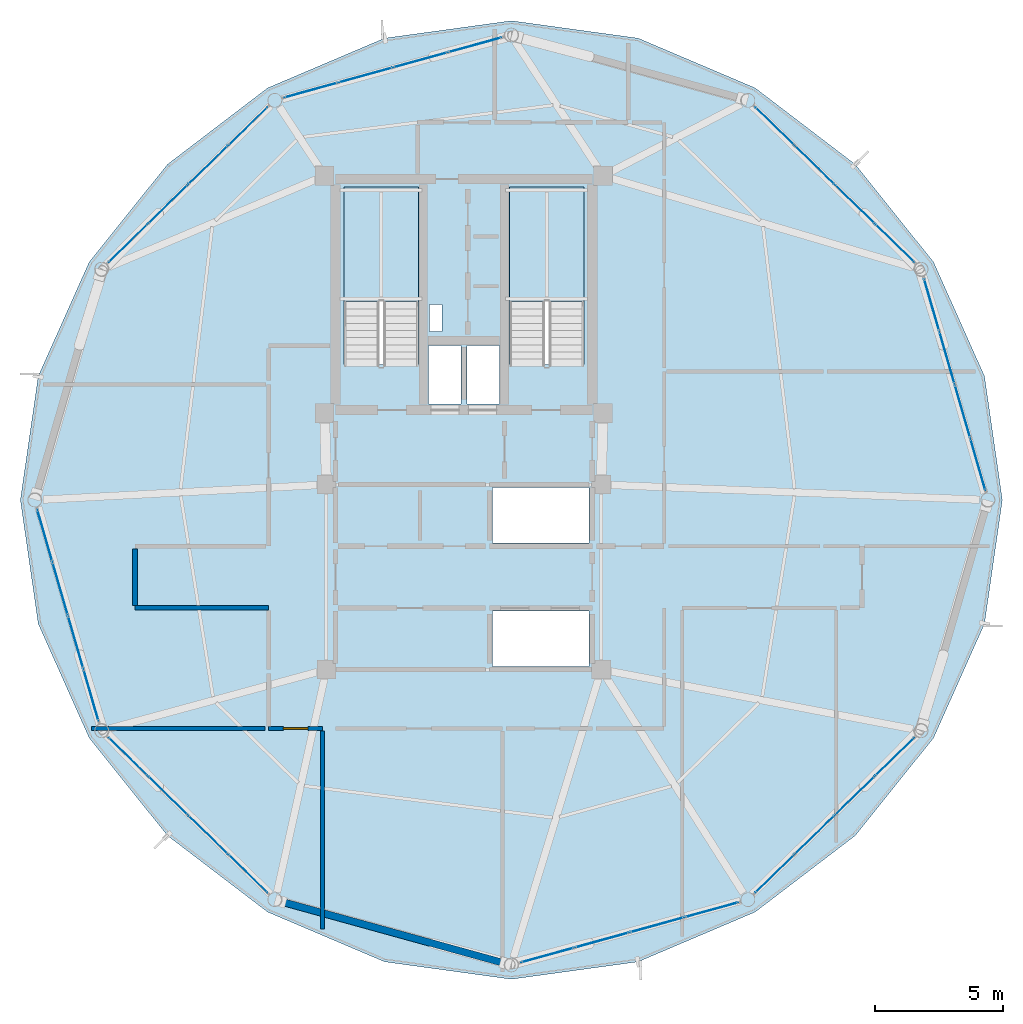
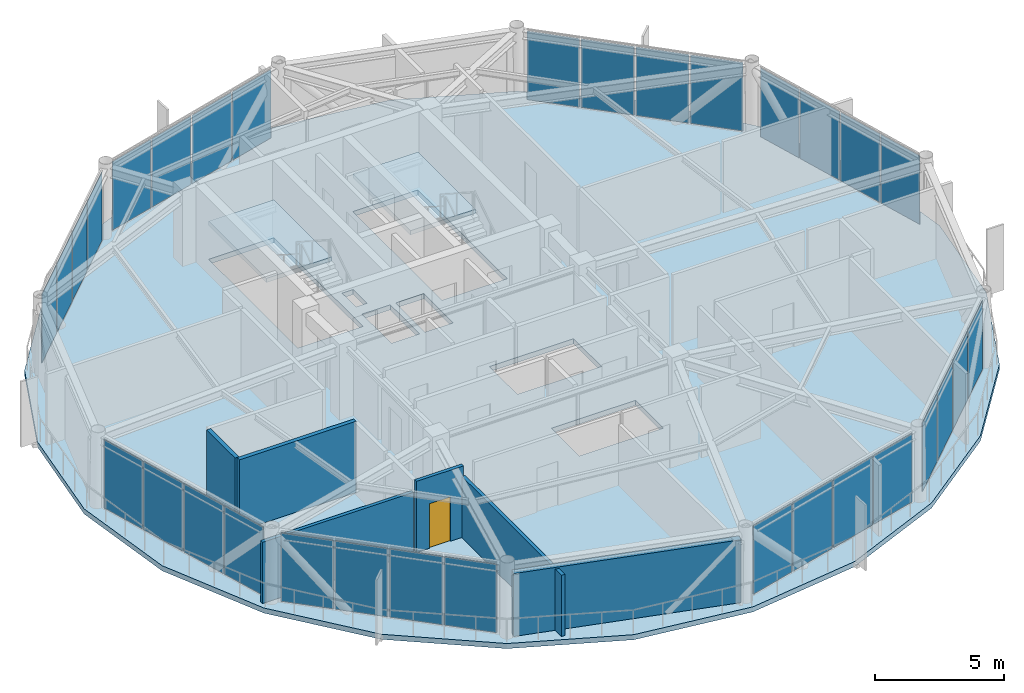
# One storey, part 21 of 27: 32 plates, 6 walls, 3 slabs, 1 door, 1 opening, 10 elements without a shape of their own.
"""IFC4 building model written with IfcOpenShell, lengths in metres."""

from ifc_helpers import new_model, si_unit, direction, frame, frame_2d, origin, origin_2d, place, context, subcontext, project, spatial, polyline, rectangle, outline, extrude, source, transform, mapped, material, layer, layer_set, type_object, type_shapes, element, fill, aggregate, save


model = new_model("IFC4")

# Units and contexts
model_context = context("Model", 3, precision=1e-05, world=origin(), true_north=direction((0.0, 1.0)))
body_context = subcontext(model_context, "Body", "Model", "MODEL_VIEW")
ifc_project = project(units=[si_unit("LENGTHUNIT", "METRE"), si_unit("AREAUNIT", "SQUARE_METRE"), si_unit("VOLUMEUNIT", "CUBIC_METRE"), si_unit("PLANEANGLEUNIT", "RADIAN"), si_unit("MASSUNIT", "GRAM", prefix="KILO")], contexts=[model_context])

# Site, building, storey
site_placement = place(None, origin())
site = spatial("IfcSite", under=ifc_project, at=site_placement, CompositionType="ELEMENT")
building_placement = place(site_placement, origin())
building = spatial("IfcBuilding", under=site, at=building_placement, Name="Varnakorn Sky Granary", CompositionType="ELEMENT")
storey_placement = place(building_placement, frame((0.0, 0.0, 245.39990234375)))
storey = spatial("IfcBuildingStorey", under=building, at=storey_placement, Name="L62", CompositionType="ELEMENT", Elevation=245.39990234375)

# Stair, slab
ifc_material_1 = material(Name="Concrete C40/50", Category="concrete")
stair_type = type_object("IfcStairType", Name="ST-MAIN-ASSEMBLY", PredefinedType="HALF_TURN_STAIR", material=ifc_material_1)
stair_1_placement = place(storey_placement, origin())
stair_1 = element("IfcStair", 1, at=stair_1_placement, inside=storey, type_object=stair_type, Name="L62 Protected Exit Stair ST-1", PredefinedType="HALF_TURN_STAIR")
ifc_layer_1 = layer(ifc_material_1, 0.199951171875, Name="Concrete C40/50")
ifc_layer_set_1 = layer_set([ifc_layer_1], Name="Concrete C40/50")
slab_type_1 = type_object("IfcSlabType", Name="ST-MAIN-LAND", PredefinedType="LANDING", material=ifc_layer_set_1)
slab_1_placement = place(storey_placement, frame((0.0, 0.0, 1.60009765625)))
slab_1 = element("IfcSlab", 2, at=slab_1_placement, type_object=slab_type_1, Name="ST-1 landing 1", PredefinedType="LANDING", context=body_context, shape_type="SweptSolid", body=[
    extrude(outline(polyline([(1.239990234375, 7.719970703125), (1.239990234375, 12.179931640625), (-1.669921875, 12.179931640625), (-1.669921875, 7.719970703125), (1.239990234375, 7.719970703125)])), origin(), (0.0, 0.0, 1.0), 0.199951171875),
])
aggregate(stair_1, [slab_1])

stair_2_placement = place(storey_placement, origin())
stair_2 = element("IfcStair", 3, at=stair_2_placement, inside=storey, type_object=stair_type, Name="L62 Protected Exit Stair ST-2", PredefinedType="HALF_TURN_STAIR")
slab_2_placement = place(storey_placement, frame((0.0, 0.0, 1.60009765625)))
slab_2 = element("IfcSlab", 4, at=slab_2_placement, type_object=slab_type_1, Name="ST-2 landing 1", PredefinedType="LANDING", context=body_context, shape_type="SweptSolid", body=[
    extrude(outline(polyline([(7.679931640625, 7.719970703125), (7.679931640625, 12.179931640625), (4.77001953125, 12.179931640625), (4.77001953125, 7.719970703125), (7.679931640625, 7.719970703125)])), origin(), (0.0, 0.0, 1.0), 0.199951171875),
])
aggregate(stair_2, [slab_2])

# Slab
ifc_material_2 = material(Name="Concrete C50/60", Category="concrete")
ifc_layer_2 = layer(ifc_material_2, 0.239990234375, Name="Concrete C50/60")
ifc_layer_set_2 = layer_set([ifc_layer_2], Name="Concrete C50/60")
slab_type_2 = type_object("IfcSlabType", Name="ST-SL-TWR-240", PredefinedType="FLOOR", material=ifc_layer_set_2)
slab_3_placement = place(storey_placement, frame((0.0, 0.0, -0.239990234375)))
element("IfcSlab", 5, at=slab_3_placement, inside=storey, type_object=slab_type_2, Name="Level L62 Structural Floor Slab", PredefinedType="FLOOR", context=body_context, shape_type="SweptSolid", body=[
    extrude(outline(polyline([(23.962890625, 0.0), (23.268310546875, 4.81689453125), (21.285400390625, 9.260498046875), (18.23779296875, 13.064453125), (14.339111328125, 16.039794921875), (9.78515625, 17.976806640625), (4.85009765625, 18.656005859375), (-0.085205078125, 17.976806640625), (-4.638916015625, 16.039794921875), (-8.53759765625, 13.064453125), (-11.58544921875, 9.260498046875), (-13.568359375, 4.81689453125), (-14.262939453125, 0.0), (-13.568359375, -4.81689453125), (-11.58544921875, -9.260498046875), (-8.53759765625, -13.064453125), (-4.638916015625, -16.039794921875), (-0.085205078125, -17.976806640625), (4.85009765625, -18.656005859375), (9.78515625, -17.976806640625), (14.339111328125, -16.039794921875), (18.23779296875, -13.064453125), (21.285400390625, -9.260498046875), (23.268310546875, -4.81689453125), (23.962890625, 0.0)]), holes=[polyline([(1.239990234375, 5.27490234375), (1.239990234375, 12.179931640625), (-1.669921875, 12.179931640625), (-1.669921875, 5.27490234375), (1.239990234375, 5.27490234375)]), polyline([(7.679931640625, 5.27490234375), (7.679931640625, 12.179931640625), (4.77001953125, 12.179931640625), (4.77001953125, 5.27490234375), (7.679931640625, 5.27490234375)]), polyline([(1.659912109375, 6.550048828125), (2.14990234375, 6.550048828125), (2.14990234375, 7.6201171875), (1.659912109375, 7.6201171875), (1.659912109375, 6.550048828125)]), polyline([(1.6201171875, 3.739990234375), (2.8798828125, 3.739990234375), (2.8798828125, 6.010009765625), (1.6201171875, 6.010009765625), (1.6201171875, 3.739990234375)]), polyline([(3.1201171875, 3.739990234375), (4.3798828125, 3.739990234375), (4.3798828125, 6.010009765625), (3.1201171875, 6.010009765625), (3.1201171875, 3.739990234375)]), polyline([(4.1201171875, -1.679931640625), (7.8798828125, -1.679931640625), (7.8798828125, 0.47998046875), (4.1201171875, 0.47998046875), (4.1201171875, -1.679931640625)]), polyline([(4.1201171875, -6.47998046875), (7.8798828125, -6.47998046875), (7.8798828125, -4.320068359375), (4.1201171875, -4.320068359375), (4.1201171875, -6.47998046875)])]), origin(), (0.0, 0.0, 1.0), 0.239990234375),
])

# Curtain wall, plates
ifc_material_3 = material(Name="Anodised Bronze Aluminium Alloy 6063-T6", Category="aluminium")
ifc_layer_3 = layer(ifc_material_3, 0.159912109375, Name="Anodised Bronze Aluminium Alloy 6063-T6")
ifc_layer_set_3 = layer_set([ifc_layer_3], Name="Anodised Bronze Aluminium Alloy 6063-T6")
curtain_wall_type = type_object("IfcCurtainWallType", Name="CW-OFF-1", PredefinedType="USERDEFINED", material=ifc_layer_set_3)
curtain_wall_1_placement = place(storey_placement, origin())
curtain_wall_1 = element("IfcCurtainWall", 6, at=curtain_wall_1_placement, inside=storey, type_object=curtain_wall_type, Name="Unitised Curtain Wall CW6 CW-L62-B01", ObjectType="CURTAIN WALL", PredefinedType="USERDEFINED")
ifc_material_4 = material(Name="Opaque Insulated Aluminium Shadow-Box Unit", Category="aluminium")
ifc_layer_4 = layer(ifc_material_4, 0.02392578125, Name="Opaque Insulated Aluminium Shadow-Box Unit")
ifc_layer_set_4 = layer_set([ifc_layer_4], Name="Opaque Insulated Aluminium Shadow-Box Unit")
plate_type = type_object("IfcPlateType", Name="CW-OFF-1-PNL", PredefinedType="CURTAIN_PANEL")
shared_shape_1 = source(origin(), body_context, "Body", "SweptSolid", [
    extrude(rectangle(XDim=2.071533203125, YDim=0.02392578125, at=origin_2d()), origin(), (0.0, 0.0, 1.0), 3.22998046875),
])
plate_1_placement = place(storey_placement, frame((21.2099609375, 7.60205078125, 0.065185546875), z_axis=(0.0, 0.0, 1.0), x_axis=(0.278337645691, -0.960483292406, 0.0)))
plate_1 = element("IfcPlate", 7, at=plate_1_placement, type_object=plate_type, material=ifc_layer_set_4, Name="CW6 opaque insulated shadow-box unit 1.1", PredefinedType="CURTAIN_PANEL", context=body_context, shape_type="MappedRepresentation", body=[
    mapped(shared_shape_1, transform((0.0, 0.0, 0.0), x_axis=(1.0, 0.0, 0.0), y_axis=(0.0, 1.0, 0.0), z_axis=(0.0, 0.0, 1.0), scale=1.0)),
])
ifc_material_5 = material(Name="Low-E Tinted Laminated Glass", Category="glass")
ifc_layer_5 = layer(ifc_material_5, 0.02392578125, Name="Low-E Tinted Laminated Glass")
ifc_layer_set_5 = layer_set([ifc_layer_5], Name="Low-E Tinted Laminated Glass")
plate_2_placement = place(storey_placement, frame((23.01220703125, 1.38330078125, 0.065185546875), z_axis=(0.0, 0.0, 1.0), x_axis=(0.278337645691, -0.960483292406, 0.0)))
plate_2 = element("IfcPlate", 8, at=plate_2_placement, type_object=plate_type, material=ifc_layer_set_5, Name="CW6 vision glazing unit 4.1", PredefinedType="CURTAIN_PANEL", context=body_context, shape_type="MappedRepresentation", body=[
    mapped(shared_shape_1, transform((0.0, 0.0, 0.0), x_axis=(1.0, 0.0, 0.0), y_axis=(0.0, 1.0, 0.0), z_axis=(0.0, 0.0, 1.0), scale=1.0)),
])

curtain_wall_2_placement = place(storey_placement, origin())
curtain_wall_2 = element("IfcCurtainWall", 9, at=curtain_wall_2_placement, inside=storey, type_object=curtain_wall_type, Name="Unitised Curtain Wall CW6 CW-L62-B07", ObjectType="CURTAIN WALL", PredefinedType="USERDEFINED")
plate_3_placement = place(storey_placement, frame((-11.510009765625, -7.60205078125, 0.065185546875), z_axis=(0.0, 0.0, 1.0), x_axis=(-0.278337645691, 0.960483292406, 0.0)))
plate_3 = element("IfcPlate", 10, at=plate_3_placement, type_object=plate_type, material=ifc_layer_set_4, Name="CW6 opaque insulated shadow-box unit 1.1", PredefinedType="CURTAIN_PANEL", context=body_context, shape_type="MappedRepresentation", body=[
    mapped(shared_shape_1, transform((0.0, 0.0, 0.0), x_axis=(1.0, 0.0, 0.0), y_axis=(0.0, 1.0, 0.0), z_axis=(0.0, 0.0, 1.0), scale=1.0)),
])
plate_4_placement = place(storey_placement, frame((-13.31201171875, -1.38330078125, 0.065185546875), z_axis=(0.0, 0.0, 1.0), x_axis=(-0.278337645691, 0.960483292406, 0.0)))
plate_4 = element("IfcPlate", 11, at=plate_4_placement, type_object=plate_type, material=ifc_layer_set_5, Name="CW6 vision glazing unit 4.1", PredefinedType="CURTAIN_PANEL", context=body_context, shape_type="MappedRepresentation", body=[
    mapped(shared_shape_1, transform((0.0, 0.0, 0.0), x_axis=(1.0, 0.0, 0.0), y_axis=(0.0, 1.0, 0.0), z_axis=(0.0, 0.0, 1.0), scale=1.0)),
])

# Plate
shared_shape_2 = source(origin(), body_context, "Body", "SweptSolid", [
    extrude(rectangle(XDim=2.10400390625, YDim=0.02392578125, at=origin_2d()), origin(), (0.0, 0.0, 1.0), 3.22998046875),
])
plate_5_placement = place(storey_placement, frame((21.80908203125, 5.534423828125, 0.065185546875), z_axis=(0.0, 0.0, 1.0), x_axis=(0.278337645691, -0.960483292406, 0.0)))
plate_5 = element("IfcPlate", 12, at=plate_5_placement, type_object=plate_type, material=ifc_layer_set_4, Name="CW6 opaque insulated shadow-box unit 2.1", PredefinedType="CURTAIN_PANEL", context=body_context, shape_type="MappedRepresentation", body=[
    mapped(shared_shape_2, transform((0.0, 0.0, 0.0), x_axis=(1.0, 0.0, 0.0), y_axis=(0.0, 1.0, 0.0), z_axis=(0.0, 0.0, 1.0), scale=1.0)),
])

plate_6_placement = place(storey_placement, frame((22.412841796875, 3.451171875, 0.065185546875), z_axis=(0.0, 0.0, 1.0), x_axis=(0.278337645691, -0.960483292406, 0.0)))
plate_6 = element("IfcPlate", 13, at=plate_6_placement, type_object=plate_type, material=ifc_layer_set_5, Name="CW6 vision glazing unit 3.1", PredefinedType="CURTAIN_PANEL", context=body_context, shape_type="MappedRepresentation", body=[
    mapped(shared_shape_2, transform((0.0, 0.0, 0.0), x_axis=(1.0, 0.0, 0.0), y_axis=(0.0, 1.0, 0.0), z_axis=(0.0, 0.0, 1.0), scale=1.0)),
])

aggregate(curtain_wall_1, [plate_1, plate_5, plate_6, plate_2])

plate_7_placement = place(storey_placement, frame((-12.109130859375, -5.534423828125, 0.065185546875), z_axis=(0.0, 0.0, 1.0), x_axis=(-0.278337645691, 0.960483292406, 0.0)))
plate_7 = element("IfcPlate", 14, at=plate_7_placement, type_object=plate_type, material=ifc_layer_set_4, Name="CW6 opaque insulated shadow-box unit 2.1", PredefinedType="CURTAIN_PANEL", context=body_context, shape_type="MappedRepresentation", body=[
    mapped(shared_shape_2, transform((0.0, 0.0, 0.0), x_axis=(1.0, 0.0, 0.0), y_axis=(0.0, 1.0, 0.0), z_axis=(0.0, 0.0, 1.0), scale=1.0)),
])

plate_8_placement = place(storey_placement, frame((-12.712890625, -3.451171875, 0.065185546875), z_axis=(0.0, 0.0, 1.0), x_axis=(-0.278337645691, 0.960483292406, 0.0)))
plate_8 = element("IfcPlate", 15, at=plate_8_placement, type_object=plate_type, material=ifc_layer_set_5, Name="CW6 vision glazing unit 3.1", PredefinedType="CURTAIN_PANEL", context=body_context, shape_type="MappedRepresentation", body=[
    mapped(shared_shape_2, transform((0.0, 0.0, 0.0), x_axis=(1.0, 0.0, 0.0), y_axis=(0.0, 1.0, 0.0), z_axis=(0.0, 0.0, 1.0), scale=1.0)),
])

aggregate(curtain_wall_2, [plate_3, plate_7, plate_8, plate_4])

# Curtain wall, plates
curtain_wall_3_placement = place(storey_placement, origin())
curtain_wall_3 = element("IfcCurtainWall", 16, at=curtain_wall_3_placement, inside=storey, type_object=curtain_wall_type, Name="Unitised Curtain Wall CW6 CW-L62-B02", ObjectType="CURTAIN WALL", PredefinedType="USERDEFINED")
shared_shape_3 = source(origin(), body_context, "Body", "SweptSolid", [
    extrude(rectangle(XDim=2.088134765625, YDim=0.02392578125, at=origin_2d()), origin(), (0.0, 0.0, 1.0), 3.22998046875),
])
plate_9_placement = place(storey_placement, frame((15.10107421875, 14.552001953125, 0.065185546875), z_axis=(0.0, 0.0, 1.0), x_axis=(0.715921663823, -0.698180615076, 0.0)))
plate_9 = element("IfcPlate", 17, at=plate_9_placement, type_object=plate_type, material=ifc_layer_set_5, Name="CW6 vision glazing unit 1.1", PredefinedType="CURTAIN_PANEL", context=body_context, shape_type="MappedRepresentation", body=[
    mapped(shared_shape_3, transform((0.0, 0.0, 0.0), x_axis=(1.0, 0.0, 0.0), y_axis=(0.0, 1.0, 0.0), z_axis=(0.0, 0.0, 1.0), scale=1.0)),
])
plate_10_placement = place(storey_placement, frame((19.77197265625, 9.996826171875, 0.065185546875), z_axis=(0.0, 0.0, 1.0), x_axis=(0.715921663823, -0.698180615076, 0.0)))
plate_10 = element("IfcPlate", 18, at=plate_10_placement, type_object=plate_type, material=ifc_layer_set_4, Name="CW6 opaque insulated shadow-box unit 4.1", PredefinedType="CURTAIN_PANEL", context=body_context, shape_type="MappedRepresentation", body=[
    mapped(shared_shape_3, transform((0.0, 0.0, 0.0), x_axis=(1.0, 0.0, 0.0), y_axis=(0.0, 1.0, 0.0), z_axis=(0.0, 0.0, 1.0), scale=1.0)),
])

curtain_wall_4_placement = place(storey_placement, origin())
curtain_wall_4 = element("IfcCurtainWall", 19, at=curtain_wall_4_placement, inside=storey, type_object=curtain_wall_type, Name="Unitised Curtain Wall CW6 CW-L62-B05", ObjectType="CURTAIN WALL", PredefinedType="USERDEFINED")
plate_11_placement = place(storey_placement, frame((-10.072021484375, 9.996826171875, 0.065185546875), z_axis=(0.0, 0.0, 1.0), x_axis=(0.715921663823, 0.698180615076, 0.0)))
plate_11 = element("IfcPlate", 20, at=plate_11_placement, type_object=plate_type, material=ifc_layer_set_4, Name="CW6 opaque insulated shadow-box unit 1.1", PredefinedType="CURTAIN_PANEL", context=body_context, shape_type="MappedRepresentation", body=[
    mapped(shared_shape_3, transform((0.0, 0.0, 0.0), x_axis=(1.0, 0.0, 0.0), y_axis=(0.0, 1.0, 0.0), z_axis=(0.0, 0.0, 1.0), scale=1.0)),
])
plate_12_placement = place(storey_placement, frame((-5.401123046875, 14.552001953125, 0.065185546875), z_axis=(0.0, 0.0, 1.0), x_axis=(0.715921663823, 0.698180615076, 0.0)))
plate_12 = element("IfcPlate", 21, at=plate_12_placement, type_object=plate_type, material=ifc_layer_set_5, Name="CW6 vision glazing unit 4.1", PredefinedType="CURTAIN_PANEL", context=body_context, shape_type="MappedRepresentation", body=[
    mapped(shared_shape_3, transform((0.0, 0.0, 0.0), x_axis=(1.0, 0.0, 0.0), y_axis=(0.0, 1.0, 0.0), z_axis=(0.0, 0.0, 1.0), scale=1.0)),
])

curtain_wall_5_placement = place(storey_placement, origin())
curtain_wall_5 = element("IfcCurtainWall", 22, at=curtain_wall_5_placement, inside=storey, type_object=curtain_wall_type, Name="Unitised Curtain Wall CW6 CW-L62-B08", ObjectType="CURTAIN WALL", PredefinedType="USERDEFINED")
plate_13_placement = place(storey_placement, frame((-5.401123046875, -14.552001953125, 0.065185546875), z_axis=(0.0, 0.0, 1.0), x_axis=(-0.715921663823, 0.698180615076, 0.0)))
plate_13 = element("IfcPlate", 23, at=plate_13_placement, type_object=plate_type, material=ifc_layer_set_5, Name="CW6 vision glazing unit 1.1", PredefinedType="CURTAIN_PANEL", context=body_context, shape_type="MappedRepresentation", body=[
    mapped(shared_shape_3, transform((0.0, 0.0, 0.0), x_axis=(1.0, 0.0, 0.0), y_axis=(0.0, 1.0, 0.0), z_axis=(0.0, 0.0, 1.0), scale=1.0)),
])
plate_14_placement = place(storey_placement, frame((-10.072021484375, -9.996826171875, 0.065185546875), z_axis=(0.0, 0.0, 1.0), x_axis=(-0.715921663823, 0.698180615076, 0.0)))
plate_14 = element("IfcPlate", 24, at=plate_14_placement, type_object=plate_type, material=ifc_layer_set_4, Name="CW6 opaque insulated shadow-box unit 4.1", PredefinedType="CURTAIN_PANEL", context=body_context, shape_type="MappedRepresentation", body=[
    mapped(shared_shape_3, transform((0.0, 0.0, 0.0), x_axis=(1.0, 0.0, 0.0), y_axis=(0.0, 1.0, 0.0), z_axis=(0.0, 0.0, 1.0), scale=1.0)),
])

curtain_wall_6_placement = place(storey_placement, origin())
curtain_wall_6 = element("IfcCurtainWall", 25, at=curtain_wall_6_placement, inside=storey, type_object=curtain_wall_type, Name="Unitised Curtain Wall CW6 CW-L62-B11", ObjectType="CURTAIN WALL", PredefinedType="USERDEFINED")
plate_15_placement = place(storey_placement, frame((19.77197265625, -9.996826171875, 0.065185546875), z_axis=(0.0, 0.0, 1.0), x_axis=(-0.715921663823, -0.698180615076, 0.0)))
plate_15 = element("IfcPlate", 26, at=plate_15_placement, type_object=plate_type, material=ifc_layer_set_4, Name="CW6 opaque insulated shadow-box unit 1.1", PredefinedType="CURTAIN_PANEL", context=body_context, shape_type="MappedRepresentation", body=[
    mapped(shared_shape_3, transform((0.0, 0.0, 0.0), x_axis=(1.0, 0.0, 0.0), y_axis=(0.0, 1.0, 0.0), z_axis=(0.0, 0.0, 1.0), scale=1.0)),
])
plate_16_placement = place(storey_placement, frame((15.10107421875, -14.552001953125, 0.065185546875), z_axis=(0.0, 0.0, 1.0), x_axis=(-0.715921663823, -0.698180615076, 0.0)))
plate_16 = element("IfcPlate", 27, at=plate_16_placement, type_object=plate_type, material=ifc_layer_set_5, Name="CW6 vision glazing unit 4.1", PredefinedType="CURTAIN_PANEL", context=body_context, shape_type="MappedRepresentation", body=[
    mapped(shared_shape_3, transform((0.0, 0.0, 0.0), x_axis=(1.0, 0.0, 0.0), y_axis=(0.0, 1.0, 0.0), z_axis=(0.0, 0.0, 1.0), scale=1.0)),
])

# Plate
shared_shape_4 = source(origin(), body_context, "Body", "SweptSolid", [
    extrude(rectangle(XDim=2.12060546875, YDim=0.02392578125, at=origin_2d()), origin(), (0.0, 0.0, 1.0), 3.22998046875),
])
plate_17_placement = place(storey_placement, frame((16.654296875, 13.037353515625, 0.065185546875), z_axis=(0.0, 0.0, 1.0), x_axis=(0.715921663823, -0.698180615076, 0.0)))
plate_17 = element("IfcPlate", 28, at=plate_17_placement, type_object=plate_type, material=ifc_layer_set_5, Name="CW6 vision glazing unit 2.1", PredefinedType="CURTAIN_PANEL", context=body_context, shape_type="MappedRepresentation", body=[
    mapped(shared_shape_4, transform((0.0, 0.0, 0.0), x_axis=(1.0, 0.0, 0.0), y_axis=(0.0, 1.0, 0.0), z_axis=(0.0, 0.0, 1.0), scale=1.0)),
])

plate_18_placement = place(storey_placement, frame((18.218994140625, 11.511474609375, 0.065185546875), z_axis=(0.0, 0.0, 1.0), x_axis=(0.715921663823, -0.698180615076, 0.0)))
plate_18 = element("IfcPlate", 29, at=plate_18_placement, type_object=plate_type, material=ifc_layer_set_4, Name="CW6 opaque insulated shadow-box unit 3.1", PredefinedType="CURTAIN_PANEL", context=body_context, shape_type="MappedRepresentation", body=[
    mapped(shared_shape_4, transform((0.0, 0.0, 0.0), x_axis=(1.0, 0.0, 0.0), y_axis=(0.0, 1.0, 0.0), z_axis=(0.0, 0.0, 1.0), scale=1.0)),
])

aggregate(curtain_wall_3, [plate_9, plate_17, plate_18, plate_10])

plate_19_placement = place(storey_placement, frame((-8.518798828125, 11.511474609375, 0.065185546875), z_axis=(0.0, 0.0, 1.0), x_axis=(0.715921663823, 0.698180615076, 0.0)))
plate_19 = element("IfcPlate", 30, at=plate_19_placement, type_object=plate_type, material=ifc_layer_set_4, Name="CW6 opaque insulated shadow-box unit 2.1", PredefinedType="CURTAIN_PANEL", context=body_context, shape_type="MappedRepresentation", body=[
    mapped(shared_shape_4, transform((0.0, 0.0, 0.0), x_axis=(1.0, 0.0, 0.0), y_axis=(0.0, 1.0, 0.0), z_axis=(0.0, 0.0, 1.0), scale=1.0)),
])

plate_20_placement = place(storey_placement, frame((-6.9541015625, 13.037353515625, 0.065185546875), z_axis=(0.0, 0.0, 1.0), x_axis=(0.715921663823, 0.698180615076, 0.0)))
plate_20 = element("IfcPlate", 31, at=plate_20_placement, type_object=plate_type, material=ifc_layer_set_5, Name="CW6 vision glazing unit 3.1", PredefinedType="CURTAIN_PANEL", context=body_context, shape_type="MappedRepresentation", body=[
    mapped(shared_shape_4, transform((0.0, 0.0, 0.0), x_axis=(1.0, 0.0, 0.0), y_axis=(0.0, 1.0, 0.0), z_axis=(0.0, 0.0, 1.0), scale=1.0)),
])

aggregate(curtain_wall_4, [plate_11, plate_19, plate_20, plate_12])

plate_21_placement = place(storey_placement, frame((-6.9541015625, -13.037353515625, 0.065185546875), z_axis=(0.0, 0.0, 1.0), x_axis=(-0.715921663823, 0.698180615076, 0.0)))
plate_21 = element("IfcPlate", 32, at=plate_21_placement, type_object=plate_type, material=ifc_layer_set_5, Name="CW6 vision glazing unit 2.1", PredefinedType="CURTAIN_PANEL", context=body_context, shape_type="MappedRepresentation", body=[
    mapped(shared_shape_4, transform((0.0, 0.0, 0.0), x_axis=(1.0, 0.0, 0.0), y_axis=(0.0, 1.0, 0.0), z_axis=(0.0, 0.0, 1.0), scale=1.0)),
])

plate_22_placement = place(storey_placement, frame((-8.518798828125, -11.511474609375, 0.065185546875), z_axis=(0.0, 0.0, 1.0), x_axis=(-0.715921663823, 0.698180615076, 0.0)))
plate_22 = element("IfcPlate", 33, at=plate_22_placement, type_object=plate_type, material=ifc_layer_set_4, Name="CW6 opaque insulated shadow-box unit 3.1", PredefinedType="CURTAIN_PANEL", context=body_context, shape_type="MappedRepresentation", body=[
    mapped(shared_shape_4, transform((0.0, 0.0, 0.0), x_axis=(1.0, 0.0, 0.0), y_axis=(0.0, 1.0, 0.0), z_axis=(0.0, 0.0, 1.0), scale=1.0)),
])

aggregate(curtain_wall_5, [plate_13, plate_21, plate_22, plate_14])

plate_23_placement = place(storey_placement, frame((18.218994140625, -11.511474609375, 0.065185546875), z_axis=(0.0, 0.0, 1.0), x_axis=(-0.715921663823, -0.698180615076, 0.0)))
plate_23 = element("IfcPlate", 34, at=plate_23_placement, type_object=plate_type, material=ifc_layer_set_4, Name="CW6 opaque insulated shadow-box unit 2.1", PredefinedType="CURTAIN_PANEL", context=body_context, shape_type="MappedRepresentation", body=[
    mapped(shared_shape_4, transform((0.0, 0.0, 0.0), x_axis=(1.0, 0.0, 0.0), y_axis=(0.0, 1.0, 0.0), z_axis=(0.0, 0.0, 1.0), scale=1.0)),
])

plate_24_placement = place(storey_placement, frame((16.654296875, -13.037353515625, 0.065185546875), z_axis=(0.0, 0.0, 1.0), x_axis=(-0.715921663823, -0.698180615076, 0.0)))
plate_24 = element("IfcPlate", 35, at=plate_24_placement, type_object=plate_type, material=ifc_layer_set_5, Name="CW6 vision glazing unit 3.1", PredefinedType="CURTAIN_PANEL", context=body_context, shape_type="MappedRepresentation", body=[
    mapped(shared_shape_4, transform((0.0, 0.0, 0.0), x_axis=(1.0, 0.0, 0.0), y_axis=(0.0, 1.0, 0.0), z_axis=(0.0, 0.0, 1.0), scale=1.0)),
])

aggregate(curtain_wall_6, [plate_15, plate_23, plate_24, plate_16])

# Curtain wall, plates
curtain_wall_7_placement = place(storey_placement, origin())
curtain_wall_7 = element("IfcCurtainWall", 36, at=curtain_wall_7_placement, inside=storey, type_object=curtain_wall_type, Name="Unitised Curtain Wall CW6 CW-L62-B04", ObjectType="CURTAIN WALL", PredefinedType="USERDEFINED")
shared_shape_5 = source(origin(), body_context, "Body", "SweptSolid", [
    extrude(rectangle(XDim=2.122314453125, YDim=0.02392578125, at=origin_2d()), origin(), (0.0, 0.0, 1.0), 3.22998046875),
])
plate_25_placement = place(storey_placement, frame((-2.951171875, 15.953125, 0.065185546875), z_axis=(0.0, 0.0, 1.0), x_axis=(0.963967028273, 0.266021744228, 0.0)))
plate_25 = element("IfcPlate", 37, at=plate_25_placement, type_object=plate_type, material=ifc_layer_set_5, Name="CW6 vision glazing unit 1.1", PredefinedType="CURTAIN_PANEL", context=body_context, shape_type="MappedRepresentation", body=[
    mapped(shared_shape_5, transform((0.0, 0.0, 0.0), x_axis=(1.0, 0.0, 0.0), y_axis=(0.0, 1.0, 0.0), z_axis=(0.0, 0.0, 1.0), scale=1.0)),
])
plate_26_placement = place(storey_placement, frame((3.43701171875, 17.716064453125, 0.065185546875), z_axis=(0.0, 0.0, 1.0), x_axis=(0.963967028273, 0.266021744228, 0.0)))
plate_26 = element("IfcPlate", 38, at=plate_26_placement, type_object=plate_type, material=ifc_layer_set_4, Name="CW6 opaque insulated shadow-box unit 4.1", PredefinedType="CURTAIN_PANEL", context=body_context, shape_type="MappedRepresentation", body=[
    mapped(shared_shape_5, transform((0.0, 0.0, 0.0), x_axis=(1.0, 0.0, 0.0), y_axis=(0.0, 1.0, 0.0), z_axis=(0.0, 0.0, 1.0), scale=1.0)),
])

curtain_wall_8_placement = place(storey_placement, origin())
curtain_wall_8 = element("IfcCurtainWall", 39, at=curtain_wall_8_placement, inside=storey, type_object=curtain_wall_type, Name="Unitised Curtain Wall CW6 CW-L62-B10", ObjectType="CURTAIN WALL", PredefinedType="USERDEFINED")
plate_27_placement = place(storey_placement, frame((12.651123046875, -15.953125, 0.065185546875), z_axis=(0.0, 0.0, 1.0), x_axis=(-0.963967028273, -0.266021744228, 0.0)))
plate_27 = element("IfcPlate", 40, at=plate_27_placement, type_object=plate_type, material=ifc_layer_set_5, Name="CW6 vision glazing unit 1.1", PredefinedType="CURTAIN_PANEL", context=body_context, shape_type="MappedRepresentation", body=[
    mapped(shared_shape_5, transform((0.0, 0.0, 0.0), x_axis=(1.0, 0.0, 0.0), y_axis=(0.0, 1.0, 0.0), z_axis=(0.0, 0.0, 1.0), scale=1.0)),
])
plate_28_placement = place(storey_placement, frame((6.262939453125, -17.716064453125, 0.065185546875), z_axis=(0.0, 0.0, 1.0), x_axis=(-0.963967028273, -0.266021744228, 0.0)))
plate_28 = element("IfcPlate", 41, at=plate_28_placement, type_object=plate_type, material=ifc_layer_set_4, Name="CW6 opaque insulated shadow-box unit 4.1", PredefinedType="CURTAIN_PANEL", context=body_context, shape_type="MappedRepresentation", body=[
    mapped(shared_shape_5, transform((0.0, 0.0, 0.0), x_axis=(1.0, 0.0, 0.0), y_axis=(0.0, 1.0, 0.0), z_axis=(0.0, 0.0, 1.0), scale=1.0)),
])

# Plate
shared_shape_6 = source(origin(), body_context, "Body", "SweptSolid", [
    extrude(rectangle(XDim=2.15478515625, YDim=0.02392578125, at=origin_2d()), origin(), (0.0, 0.0, 1.0), 3.22998046875),
])
type_shapes(plate_type, [shared_shape_1, shared_shape_2, shared_shape_3, shared_shape_4, shared_shape_5, shared_shape_6])
plate_29_placement = place(storey_placement, frame((-0.826904296875, 16.539306640625, 0.065185546875), z_axis=(0.0, 0.0, 1.0), x_axis=(0.963967028273, 0.266021744228, 0.0)))
plate_29 = element("IfcPlate", 42, at=plate_29_placement, type_object=plate_type, material=ifc_layer_set_5, Name="CW6 vision glazing unit 2.1", PredefinedType="CURTAIN_PANEL", context=body_context, shape_type="MappedRepresentation", body=[
    mapped(shared_shape_6, transform((0.0, 0.0, 0.0), x_axis=(1.0, 0.0, 0.0), y_axis=(0.0, 1.0, 0.0), z_axis=(0.0, 0.0, 1.0), scale=1.0)),
])

plate_30_placement = place(storey_placement, frame((1.31298828125, 17.1298828125, 0.065185546875), z_axis=(0.0, 0.0, 1.0), x_axis=(0.963967028273, 0.266021744228, 0.0)))
plate_30 = element("IfcPlate", 43, at=plate_30_placement, type_object=plate_type, material=ifc_layer_set_4, Name="CW6 opaque insulated shadow-box unit 3.1", PredefinedType="CURTAIN_PANEL", context=body_context, shape_type="MappedRepresentation", body=[
    mapped(shared_shape_6, transform((0.0, 0.0, 0.0), x_axis=(1.0, 0.0, 0.0), y_axis=(0.0, 1.0, 0.0), z_axis=(0.0, 0.0, 1.0), scale=1.0)),
])

aggregate(curtain_wall_7, [plate_25, plate_29, plate_30, plate_26])

plate_31_placement = place(storey_placement, frame((10.52685546875, -16.539306640625, 0.065185546875), z_axis=(0.0, 0.0, 1.0), x_axis=(-0.963967028273, -0.266021744228, 0.0)))
plate_31 = element("IfcPlate", 44, at=plate_31_placement, type_object=plate_type, material=ifc_layer_set_5, Name="CW6 vision glazing unit 2.1", PredefinedType="CURTAIN_PANEL", context=body_context, shape_type="MappedRepresentation", body=[
    mapped(shared_shape_6, transform((0.0, 0.0, 0.0), x_axis=(1.0, 0.0, 0.0), y_axis=(0.0, 1.0, 0.0), z_axis=(0.0, 0.0, 1.0), scale=1.0)),
])

plate_32_placement = place(storey_placement, frame((8.386962890625, -17.1298828125, 0.065185546875), z_axis=(0.0, 0.0, 1.0), x_axis=(-0.963967028273, -0.266021744228, 0.0)))
plate_32 = element("IfcPlate", 45, at=plate_32_placement, type_object=plate_type, material=ifc_layer_set_4, Name="CW6 opaque insulated shadow-box unit 3.1", PredefinedType="CURTAIN_PANEL", context=body_context, shape_type="MappedRepresentation", body=[
    mapped(shared_shape_6, transform((0.0, 0.0, 0.0), x_axis=(1.0, 0.0, 0.0), y_axis=(0.0, 1.0, 0.0), z_axis=(0.0, 0.0, 1.0), scale=1.0)),
])

aggregate(curtain_wall_8, [plate_27, plate_31, plate_32, plate_28])

# Wall
ifc_material_6 = material(Name="Precast concrete C40/50", Category="concrete")
ifc_layer_6 = layer(ifc_material_6, 0.280029296875, Name="Precast concrete C40/50")
ifc_layer_set_6 = layer_set([ifc_layer_6], Name="Precast concrete C40/50")
wall_type_1 = type_object("IfcWallType", Name="WT-EW-CRN-280", PredefinedType="SOLIDWALL", material=ifc_layer_set_6)
wall_1_placement = place(storey_placement, frame((4.623779296875, -18.043701171875, 0.0), z_axis=(0.0, 0.0, 1.0), x_axis=(-0.963966020106, 0.266025397435, 0.0)))
element("IfcWall", 46, at=wall_1_placement, inside=storey, type_object=wall_type_1, Name="Agritech Insulated Precast Facade Wall L62-P09", PredefinedType="SOLIDWALL", context=body_context, shape_type="SweptSolid", body=[
    extrude(rectangle(XDim=9.08935546875, YDim=0.280029296875, at=frame_2d((4.544677734375, 0.0))), origin(), (0.0, 0.0, 1.0), 2.97021484375),
])

# Wall, opening, door
ifc_material_7 = material(Name="Gypsum Plasterboard on Steel Stud", Category="steel")
ifc_layer_7 = layer(ifc_material_7, 0.14990234375, Name="Gypsum Plasterboard on Steel Stud")
ifc_layer_set_7 = layer_set([ifc_layer_7], Name="Gypsum Plasterboard on Steel Stud")
wall_type_2 = type_object("IfcWallType", Name="WT-PART-150", PredefinedType="PARTITIONING", material=ifc_layer_set_7)
wall_2_placement = place(storey_placement, frame((-4.60009765625, -8.89990234375, 0.0), z_axis=(0.0, 0.0, 1.0), x_axis=(1.0, 0.0, 0.0)))
wall_2 = element("IfcWall", 47, at=wall_2_placement, inside=storey, type_object=wall_type_2, Name="Interior Partition Wall L62-020", PredefinedType="PARTITIONING", context=body_context, shape_type="SweptSolid", body=[
    extrude(rectangle(XDim=2.10009765625, YDim=0.14990234375, at=frame_2d((1.050048828125, 0.0))), origin(), (0.0, 0.0, 1.0), 3.360107421875),
])
opening_placement = place(wall_2_placement, frame((0.574951171875, 0.0, 0.0)))
opening = element("IfcOpeningElement", 48, at=opening_placement, cuts=wall_2, Name="Opening ID-95", PredefinedType="OPENING", context=body_context, shape_type="SweptSolid", body=[
    extrude(rectangle(XDim=0.949951171875, YDim=2.10009765625, at=frame_2d((0.47509765625, 1.050048828125))), frame((0.0, 0.0849609375, 0.0), z_axis=(0.0, -1.0, 0.0), x_axis=(1.0, 0.0, 0.0)), (0.0, 0.0, 1.0), 0.169921875),
])
ifc_material_8 = material(Name="Solid-Core Teak Veneer Leaf", Category="timber")
door_type = type_object("IfcDoorType", Name="DR-INT-950", OperationType="NOTDEFINED", PredefinedType="DOOR", material=ifc_material_8)
door_placement = place(opening_placement, origin())
door = element("IfcDoor", 49, at=door_placement, inside=storey, type_object=door_type, Name="Interior Door L62-020-1", OperationType="SINGLE_SWING_LEFT", OverallHeight=2.10009765625, OverallWidth=0.949951171875, PredefinedType="DOOR", context=body_context, shape_type="SweptSolid", body=[
    extrude(rectangle(XDim=0.949951171875, YDim=2.10009765625, at=frame_2d((0.47509765625, 1.050048828125))), frame((0.0, 0.02490234375, 0.0), z_axis=(0.0, -1.0, 0.0), x_axis=(1.0, 0.0, 0.0)), (0.0, 0.0, 1.0), 0.050048828125),
])
fill(opening, door)

# Walls
wall_3_placement = place(storey_placement, frame((-2.5, -8.985107421875, 0.0), z_axis=(0.0, 0.0, 1.0), x_axis=(0.0, -1.0, 0.0)))
element("IfcWall", 50, at=wall_3_placement, inside=storey, type_object=wall_type_2, Name="Interior Partition Wall L62-037", PredefinedType="PARTITIONING", context=body_context, shape_type="SweptSolid", body=[
    extrude(rectangle(XDim=7.705810546875, YDim=0.14990234375, at=frame_2d((3.85302734375, 0.0))), origin(), (0.0, 0.0, 1.0), 2.89208984375),
])
wall_4_placement = place(storey_placement, frame((-11.485107421875, -8.89990234375, 0.0), z_axis=(0.0, 0.0, 1.0), x_axis=(1.0, 0.0, 0.0)))
element("IfcWall", 51, at=wall_4_placement, inside=storey, type_object=wall_type_2, Name="Interior Partition Wall L62-038", PredefinedType="PARTITIONING", context=body_context, shape_type="SweptSolid", body=[
    extrude(rectangle(XDim=6.75, YDim=0.14990234375, at=frame_2d((3.375, 0.0))), origin(), (0.0, 0.0, 1.0), 2.89208984375),
])
ifc_material_9 = material(Name="Moisture-Resistant Gypsum on Stud", Category="gypsum")
ifc_layer_8 = layer(ifc_material_9, 0.179931640625, Name="Moisture-Resistant Gypsum on Stud")
ifc_layer_set_8 = layer_set([ifc_layer_8], Name="Moisture-Resistant Gypsum on Stud")
wall_type_3 = type_object("IfcWallType", Name="WT-PLUMB-180", PredefinedType="PLUMBINGWALL", material=ifc_layer_set_8)
wall_5_placement = place(storey_placement, frame((-9.800048828125, -4.199951171875, 0.0), z_axis=(0.0, 0.0, 1.0), x_axis=(1.0, 0.0, 0.0)))
element("IfcWall", 52, at=wall_5_placement, inside=storey, type_object=wall_type_3, Name="Interior Partition Wall L62-048", PredefinedType="PLUMBINGWALL", context=body_context, shape_type="SweptSolid", body=[
    extrude(rectangle(XDim=5.199951171875, YDim=0.179931640625, at=frame_2d((2.60009765625, 0.0))), origin(), (0.0, 0.0, 1.0), 3.360107421875),
])
wall_6_placement = place(storey_placement, frame((-9.800048828125, -1.89990234375, 0.0), z_axis=(0.0, 0.0, 1.0), x_axis=(0.0, -1.0, 0.0)))
element("IfcWall", 53, at=wall_6_placement, inside=storey, type_object=wall_type_3, Name="Interior Partition Wall L62-049", PredefinedType="PLUMBINGWALL", context=body_context, shape_type="SweptSolid", body=[
    extrude(rectangle(XDim=2.2001953125, YDim=0.179931640625, at=frame_2d((1.10009765625, 0.0))), origin(), (0.0, 0.0, 1.0), 3.360107421875),
])

save(model, "model.ifc")
